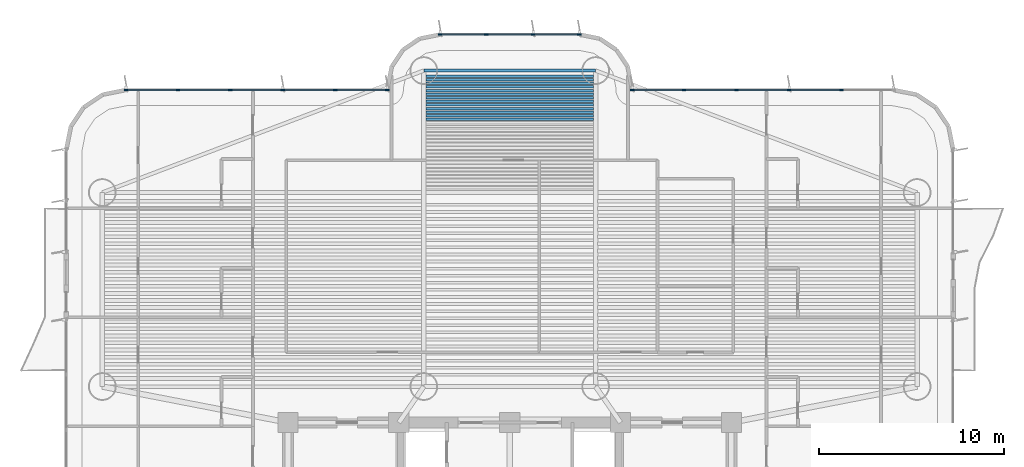
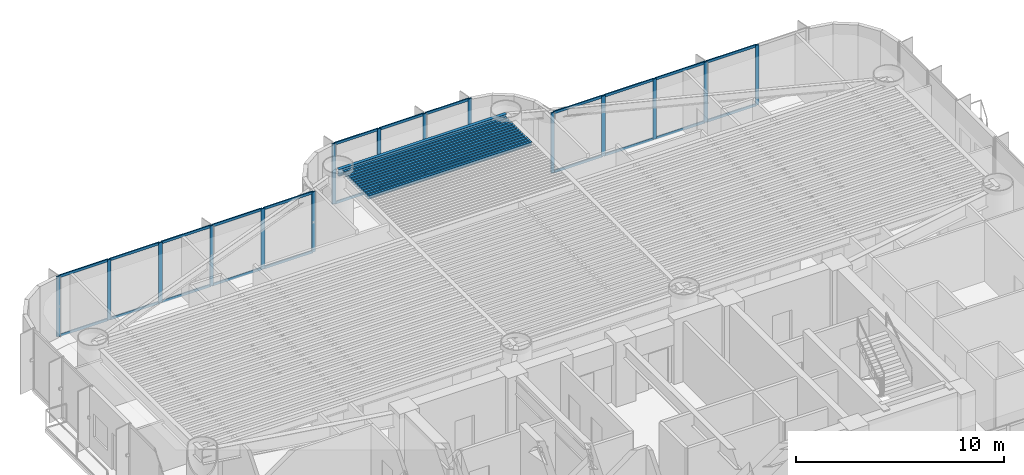
# One storey, part 7 of 18: 39 members, 14 beams, 3 elements without a shape of their own.
"""IFC4 building model written with IfcOpenShell, lengths in metres."""

from ifc_helpers import new_model, si_unit, direction, frame, origin, origin_2d, place, context, subcontext, project, spatial, rectangle, i_section, extrude, source, transform, mapped, material, layer, layer_set, material_profile, profile_set, type_object, element, aggregate, save


model = new_model("IFC4")

# Units and contexts
model_context = context("Model", 3, precision=1e-05, world=origin(), true_north=direction((0.0, 1.0)))
body_context = subcontext(model_context, "Body", "Model", "MODEL_VIEW")
ifc_project = project(units=[si_unit("LENGTHUNIT", "METRE"), si_unit("AREAUNIT", "SQUARE_METRE"), si_unit("VOLUMEUNIT", "CUBIC_METRE"), si_unit("PLANEANGLEUNIT", "RADIAN"), si_unit("MASSUNIT", "GRAM", prefix="KILO")], contexts=[model_context])

# Site, building, storey
site_placement = place(None, origin())
site = spatial("IfcSite", under=ifc_project, at=site_placement, CompositionType="ELEMENT")
building_placement = place(site_placement, origin())
building = spatial("IfcBuilding", under=site, at=building_placement, Name="Brelvock Crest Care Tower", CompositionType="ELEMENT")
storey_placement = place(building_placement, frame((0.0, 0.0, 38.340087890625)))
storey = spatial("IfcBuildingStorey", under=building, at=storey_placement, Name="L09", CompositionType="ELEMENT", Elevation=38.340087890625)

# Beams
ifc_material_1 = material(Name="Steel Grade 350", Category="steel")
ifc_material_profile_1 = material_profile(ifc_material_1, i_section(OverallWidth=0.177978515625, OverallDepth=0.406005859375, WebThickness=0.0078125, FlangeThickness=0.0126953125, FilletRadius=0.011474609375, at=origin_2d()), Name="410UB59.7")
ifc_profile_set_1 = profile_set([ifc_material_profile_1], Name="Steel Grade 350")
beam_type_1 = type_object("IfcBeamType", Name="BM-SP1", PredefinedType="SPANDREL", material=ifc_profile_set_1)
shared_shape_1 = source(origin(), body_context, "Body", "SweptSolid", [
    extrude(i_section(OverallWidth=0.177978515625, OverallDepth=0.406005859375, WebThickness=0.0078125, FlangeThickness=0.0126953125, FilletRadius=0.011474609375, at=origin_2d()), origin(), (0.0, 0.0, 1.0), 9.2998046875),
])
beam_placement = place(storey_placement, frame((31.35009765625, 37.050048828125, 3.326904296875), z_axis=(1.0, 0.0, 0.0), x_axis=(0.0, 1.0, 0.0)))
element("IfcBeam", 1, at=beam_placement, inside=storey, type_object=beam_type_1, Name="BM-TWR-L09-08", PredefinedType="SPANDREL", context=body_context, shape_type="MappedRepresentation", body=[
    mapped(shared_shape_1, transform((0.0, 0.0, 0.0), x_axis=(1.0, 0.0, 0.0), y_axis=(0.0, 1.0, 0.0), z_axis=(0.0, 0.0, 1.0), scale=1.0)),
])
ifc_material_profile_2 = material_profile(ifc_material_1, i_section(OverallWidth=0.134033203125, OverallDepth=0.20703125, WebThickness=0.00634765625, FlangeThickness=0.009521484375, FilletRadius=0.0087890625, at=origin_2d()), Name="200UB29.8")
ifc_profile_set_2 = profile_set([ifc_material_profile_2], Name="Steel Grade 350")
beam_type_2 = type_object("IfcBeamType", Name="BM-J4", PredefinedType="JOIST", material=ifc_profile_set_2)
shared_shape_2 = source(origin(), body_context, "Body", "SweptSolid", [
    extrude(i_section(OverallWidth=0.134033203125, OverallDepth=0.20703125, WebThickness=0.00634765625, FlangeThickness=0.009521484375, FilletRadius=0.0087890625, at=origin_2d()), origin(), (0.0, 0.0, 1.0), 9.06982421875),
])
for number, where, z_axis, x_axis, name in (
    (2, (31.465087890625, 34.413330078125, 3.426513671875), (1.0, 0.0, 0.0), (0.0, 1.0, 0.0), "BM-JN-L09-20"),
    (3, (31.465087890625, 34.60791015625, 3.426513671875), (1.0, 0.0, 0.0), (0.0, 1.0, 0.0), "BM-JN-L09-21"),
    (4, (31.465087890625, 34.802734375, 3.426513671875), (1.0, 0.0, 0.0), (0.0, 1.0, 0.0), "BM-JN-L09-22"),
    (5, (31.465087890625, 34.997314453125, 3.426513671875), (1.0, 0.0, 0.0), (0.0, 1.0, 0.0), "BM-JN-L09-23"),
    (6, (31.465087890625, 35.192138671875, 3.426513671875), (1.0, 0.0, 0.0), (0.0, 1.0, 0.0), "BM-JN-L09-24"),
    (7, (31.465087890625, 35.38671875, 3.426513671875), (1.0, 0.0, 0.0), (0.0, 1.0, 0.0), "BM-JN-L09-25"),
    (8, (31.465087890625, 35.58154296875, 3.426513671875), (1.0, 0.0, 0.0), (0.0, 1.0, 0.0), "BM-JN-L09-26"),
    (9, (31.465087890625, 35.776123046875, 3.426513671875), (1.0, 0.0, 0.0), (0.0, 1.0, 0.0), "BM-JN-L09-27"),
    (10, (31.465087890625, 35.970947265625, 3.426513671875), (1.0, 0.0, 0.0), (0.0, 1.0, 0.0), "BM-JN-L09-28"),
    (11, (31.465087890625, 36.16552734375, 3.426513671875), (1.0, 0.0, 0.0), (0.0, 1.0, 0.0), "BM-JN-L09-29"),
    (12, (31.465087890625, 36.3603515625, 3.426513671875), (1.0, 0.0, 0.0), (0.0, 1.0, 0.0), "BM-JN-L09-30"),
    (13, (31.465087890625, 36.554931640625, 3.426513671875), (1.0, 0.0, 0.0), (0.0, 1.0, 0.0), "BM-JN-L09-31"),
    (14, (31.465087890625, 36.749755859375, 3.426513671875), (1.0, 0.0, 0.0), (0.0, 1.0, 0.0), "BM-JN-L09-32"),
):
    element("IfcBeam", number, at=place(storey_placement, frame(where, z_axis=z_axis, x_axis=x_axis)), inside=storey, type_object=beam_type_2, Name=name, PredefinedType="JOIST", context=body_context, shape_type="MappedRepresentation", body=[
        mapped(shared_shape_2, transform((0.0, 0.0, 0.0), x_axis=(1.0, 0.0, 0.0), y_axis=(0.0, 1.0, 0.0), z_axis=(0.0, 0.0, 1.0), scale=1.0)),
    ])

# Curtain wall, members
ifc_material_2 = material(Name="Dark Glass Double Glazed Low-E", Category="glass")
ifc_layer = layer(ifc_material_2, 0.195068359375, Name="CWS-2")
ifc_layer_set = layer_set([ifc_layer], Name="Dark Glass Double Glazed Low-E")
curtain_wall_type = type_object("IfcCurtainWallType", Name="CWS-2", PredefinedType="NOTDEFINED", material=ifc_layer_set)
curtain_wall_1_placement = place(storey_placement, origin())
curtain_wall_1 = element("IfcCurtainWall", 15, at=curtain_wall_1_placement, inside=storey, type_object=curtain_wall_type, Name="L09 Curtain Wall E18", PredefinedType="NOTDEFINED")
ifc_material_3 = material(Name="Aluminium 6063-T6", Category="aluminium")
ifc_material_profile_3 = material_profile(ifc_material_3, rectangle(XDim=0.06494140625, YDim=0.199951171875, at=origin_2d()), Name="ALU65x200")
ifc_profile_set_3 = profile_set([ifc_material_profile_3], Name="Aluminium 6063-T6")
member_type_1 = type_object("IfcMemberType", Name="CWM-1", PredefinedType="MULLION", material=ifc_profile_set_3)
shared_shape_3 = source(origin(), body_context, "Body", "SweptSolid", [
    extrude(rectangle(XDim=0.06494140625, YDim=0.199951171875, at=origin_2d()), origin(), (0.0, 0.0, 1.0), 3.530029296875),
])
member_1_placement = place(storey_placement, frame((15.232421875, 36.0, 0.0), z_axis=(0.0, 0.0, 1.0), x_axis=(0.0, 1.0, 0.0)))
member_1 = element("IfcMember", 16, at=member_1_placement, type_object=member_type_1, Name="CW-2 mullion 1", PredefinedType="MULLION", context=body_context, shape_type="MappedRepresentation", body=[
    mapped(shared_shape_3, transform((0.0, 0.0, 0.0), x_axis=(1.0, 0.0, 0.0), y_axis=(0.0, 1.0, 0.0), z_axis=(0.0, 0.0, 1.0), scale=1.0)),
])
member_2_placement = place(storey_placement, frame((18.0400390625, 36.0, 0.0), z_axis=(0.0, 0.0, 1.0), x_axis=(0.0, 1.0, 0.0)))
member_2 = element("IfcMember", 17, at=member_2_placement, type_object=member_type_1, Name="CW-2 mullion 2", PredefinedType="MULLION", context=body_context, shape_type="MappedRepresentation", body=[
    mapped(shared_shape_3, transform((0.0, 0.0, 0.0), x_axis=(1.0, 0.0, 0.0), y_axis=(0.0, 1.0, 0.0), z_axis=(0.0, 0.0, 1.0), scale=1.0)),
])
member_3_placement = place(storey_placement, frame((20.8798828125, 36.0, 0.0), z_axis=(0.0, 0.0, 1.0), x_axis=(0.0, 1.0, 0.0)))
member_3 = element("IfcMember", 18, at=member_3_placement, type_object=member_type_1, Name="CW-2 mullion 3", PredefinedType="MULLION", context=body_context, shape_type="MappedRepresentation", body=[
    mapped(shared_shape_3, transform((0.0, 0.0, 0.0), x_axis=(1.0, 0.0, 0.0), y_axis=(0.0, 1.0, 0.0), z_axis=(0.0, 0.0, 1.0), scale=1.0)),
])
member_4_placement = place(storey_placement, frame((23.719970703125, 36.0, 0.0), z_axis=(0.0, 0.0, 1.0), x_axis=(0.0, 1.0, 0.0)))
member_4 = element("IfcMember", 19, at=member_4_placement, type_object=member_type_1, Name="CW-2 mullion 4", PredefinedType="MULLION", context=body_context, shape_type="MappedRepresentation", body=[
    mapped(shared_shape_3, transform((0.0, 0.0, 0.0), x_axis=(1.0, 0.0, 0.0), y_axis=(0.0, 1.0, 0.0), z_axis=(0.0, 0.0, 1.0), scale=1.0)),
])
member_5_placement = place(storey_placement, frame((26.56005859375, 36.0, 0.0), z_axis=(0.0, 0.0, 1.0), x_axis=(0.0, 1.0, 0.0)))
member_5 = element("IfcMember", 20, at=member_5_placement, type_object=member_type_1, Name="CW-2 mullion 5", PredefinedType="MULLION", context=body_context, shape_type="MappedRepresentation", body=[
    mapped(shared_shape_3, transform((0.0, 0.0, 0.0), x_axis=(1.0, 0.0, 0.0), y_axis=(0.0, 1.0, 0.0), z_axis=(0.0, 0.0, 1.0), scale=1.0)),
])
member_6_placement = place(storey_placement, frame((29.367431640625, 36.0, 0.0), z_axis=(0.0, 0.0, 1.0), x_axis=(0.0, 1.0, 0.0)))
member_6 = element("IfcMember", 21, at=member_6_placement, type_object=member_type_1, Name="CW-2 mullion 6", PredefinedType="MULLION", context=body_context, shape_type="MappedRepresentation", body=[
    mapped(shared_shape_3, transform((0.0, 0.0, 0.0), x_axis=(1.0, 0.0, 0.0), y_axis=(0.0, 1.0, 0.0), z_axis=(0.0, 0.0, 1.0), scale=1.0)),
])

curtain_wall_2_placement = place(storey_placement, origin())
curtain_wall_2 = element("IfcCurtainWall", 22, at=curtain_wall_2_placement, inside=storey, type_object=curtain_wall_type, Name="L09 Curtain Wall E24", PredefinedType="NOTDEFINED")
member_7_placement = place(storey_placement, frame((32.232421875, 39.0, 0.0), z_axis=(0.0, 0.0, 1.0), x_axis=(0.0, 1.0, 0.0)))
member_7 = element("IfcMember", 23, at=member_7_placement, type_object=member_type_1, Name="CW-2 mullion 1", PredefinedType="MULLION", context=body_context, shape_type="MappedRepresentation", body=[
    mapped(shared_shape_3, transform((0.0, 0.0, 0.0), x_axis=(1.0, 0.0, 0.0), y_axis=(0.0, 1.0, 0.0), z_axis=(0.0, 0.0, 1.0), scale=1.0)),
])
member_8_placement = place(storey_placement, frame((34.7333984375, 39.0, 0.0), z_axis=(0.0, 0.0, 1.0), x_axis=(0.0, 1.0, 0.0)))
member_8 = element("IfcMember", 24, at=member_8_placement, type_object=member_type_1, Name="CW-2 mullion 2", PredefinedType="MULLION", context=body_context, shape_type="MappedRepresentation", body=[
    mapped(shared_shape_3, transform((0.0, 0.0, 0.0), x_axis=(1.0, 0.0, 0.0), y_axis=(0.0, 1.0, 0.0), z_axis=(0.0, 0.0, 1.0), scale=1.0)),
])
member_9_placement = place(storey_placement, frame((37.2666015625, 39.0, 0.0), z_axis=(0.0, 0.0, 1.0), x_axis=(0.0, 1.0, 0.0)))
member_9 = element("IfcMember", 25, at=member_9_placement, type_object=member_type_1, Name="CW-2 mullion 3", PredefinedType="MULLION", context=body_context, shape_type="MappedRepresentation", body=[
    mapped(shared_shape_3, transform((0.0, 0.0, 0.0), x_axis=(1.0, 0.0, 0.0), y_axis=(0.0, 1.0, 0.0), z_axis=(0.0, 0.0, 1.0), scale=1.0)),
])
member_10_placement = place(storey_placement, frame((39.767578125, 39.0, 0.0), z_axis=(0.0, 0.0, 1.0), x_axis=(0.0, 1.0, 0.0)))
member_10 = element("IfcMember", 26, at=member_10_placement, type_object=member_type_1, Name="CW-2 mullion 4", PredefinedType="MULLION", context=body_context, shape_type="MappedRepresentation", body=[
    mapped(shared_shape_3, transform((0.0, 0.0, 0.0), x_axis=(1.0, 0.0, 0.0), y_axis=(0.0, 1.0, 0.0), z_axis=(0.0, 0.0, 1.0), scale=1.0)),
])

curtain_wall_3_placement = place(storey_placement, origin())
curtain_wall_3 = element("IfcCurtainWall", 27, at=curtain_wall_3_placement, inside=storey, type_object=curtain_wall_type, Name="L09 Curtain Wall E30", PredefinedType="NOTDEFINED")
member_11_placement = place(storey_placement, frame((42.632568359375, 36.0, 0.0), z_axis=(0.0, 0.0, 1.0), x_axis=(0.0, 1.0, 0.0)))
member_11 = element("IfcMember", 28, at=member_11_placement, type_object=member_type_1, Name="CW-2 mullion 1", PredefinedType="MULLION", context=body_context, shape_type="MappedRepresentation", body=[
    mapped(shared_shape_3, transform((0.0, 0.0, 0.0), x_axis=(1.0, 0.0, 0.0), y_axis=(0.0, 1.0, 0.0), z_axis=(0.0, 0.0, 1.0), scale=1.0)),
])
member_12_placement = place(storey_placement, frame((45.43994140625, 36.0, 0.0), z_axis=(0.0, 0.0, 1.0), x_axis=(0.0, 1.0, 0.0)))
member_12 = element("IfcMember", 29, at=member_12_placement, type_object=member_type_1, Name="CW-2 mullion 2", PredefinedType="MULLION", context=body_context, shape_type="MappedRepresentation", body=[
    mapped(shared_shape_3, transform((0.0, 0.0, 0.0), x_axis=(1.0, 0.0, 0.0), y_axis=(0.0, 1.0, 0.0), z_axis=(0.0, 0.0, 1.0), scale=1.0)),
])
member_13_placement = place(storey_placement, frame((48.280029296875, 36.0, 0.0), z_axis=(0.0, 0.0, 1.0), x_axis=(0.0, 1.0, 0.0)))
member_13 = element("IfcMember", 30, at=member_13_placement, type_object=member_type_1, Name="CW-2 mullion 3", PredefinedType="MULLION", context=body_context, shape_type="MappedRepresentation", body=[
    mapped(shared_shape_3, transform((0.0, 0.0, 0.0), x_axis=(1.0, 0.0, 0.0), y_axis=(0.0, 1.0, 0.0), z_axis=(0.0, 0.0, 1.0), scale=1.0)),
])
member_14_placement = place(storey_placement, frame((51.1201171875, 36.0, 0.0), z_axis=(0.0, 0.0, 1.0), x_axis=(0.0, 1.0, 0.0)))
member_14 = element("IfcMember", 31, at=member_14_placement, type_object=member_type_1, Name="CW-2 mullion 4", PredefinedType="MULLION", context=body_context, shape_type="MappedRepresentation", body=[
    mapped(shared_shape_3, transform((0.0, 0.0, 0.0), x_axis=(1.0, 0.0, 0.0), y_axis=(0.0, 1.0, 0.0), z_axis=(0.0, 0.0, 1.0), scale=1.0)),
])
member_15_placement = place(storey_placement, frame((53.9599609375, 36.0, 0.0), z_axis=(0.0, 0.0, 1.0), x_axis=(0.0, 1.0, 0.0)))
member_15 = element("IfcMember", 32, at=member_15_placement, type_object=member_type_1, Name="CW-2 mullion 5", PredefinedType="MULLION", context=body_context, shape_type="MappedRepresentation", body=[
    mapped(shared_shape_3, transform((0.0, 0.0, 0.0), x_axis=(1.0, 0.0, 0.0), y_axis=(0.0, 1.0, 0.0), z_axis=(0.0, 0.0, 1.0), scale=1.0)),
])

# Member
ifc_material_profile_4 = material_profile(ifc_material_3, rectangle(XDim=0.06494140625, YDim=0.14990234375, at=origin_2d()), Name="ALU65x150")
ifc_profile_set_4 = profile_set([ifc_material_profile_4], Name="Aluminium 6063-T6")
member_type_2 = type_object("IfcMemberType", Name="CWT-1", PredefinedType="USERDEFINED", material=ifc_profile_set_4)
shared_shape_4 = source(origin(), body_context, "Body", "SweptSolid", [
    extrude(rectangle(XDim=0.06494140625, YDim=0.14990234375, at=origin_2d()), origin(), (0.0, 0.0, 1.0), 2.74267578125),
])
member_16_placement = place(storey_placement, frame((15.264892578125, 36.0, 0.032470703125), z_axis=(1.0, 0.0, 0.0), x_axis=(0.0, 1.0, 0.0)))
member_16 = element("IfcMember", 33, at=member_16_placement, type_object=member_type_2, Name="CW-2 transom 1.1", ObjectType="TRANSOM", PredefinedType="USERDEFINED", context=body_context, shape_type="MappedRepresentation", body=[
    mapped(shared_shape_4, transform((0.0, 0.0, 0.0), x_axis=(1.0, 0.0, 0.0), y_axis=(0.0, 1.0, 0.0), z_axis=(0.0, 0.0, 1.0), scale=1.0)),
])

member_17_placement = place(storey_placement, frame((15.264892578125, 36.0, 3.497314453125), z_axis=(1.0, 0.0, 0.0), x_axis=(0.0, 1.0, 0.0)))
member_17 = element("IfcMember", 34, at=member_17_placement, type_object=member_type_2, Name="CW-2 transom 1.2", ObjectType="TRANSOM", PredefinedType="USERDEFINED", context=body_context, shape_type="MappedRepresentation", body=[
    mapped(shared_shape_4, transform((0.0, 0.0, 0.0), x_axis=(1.0, 0.0, 0.0), y_axis=(0.0, 1.0, 0.0), z_axis=(0.0, 0.0, 1.0), scale=1.0)),
])

shared_shape_5 = source(origin(), body_context, "Body", "SweptSolid", [
    extrude(rectangle(XDim=0.06494140625, YDim=0.14990234375, at=origin_2d()), origin(), (0.0, 0.0, 1.0), 2.77490234375),
])
member_18_placement = place(storey_placement, frame((18.072509765625, 36.0, 0.032470703125), z_axis=(1.0, 0.0, 0.0), x_axis=(0.0, 1.0, 0.0)))
member_18 = element("IfcMember", 35, at=member_18_placement, type_object=member_type_2, Name="CW-2 transom 2.1", ObjectType="TRANSOM", PredefinedType="USERDEFINED", context=body_context, shape_type="MappedRepresentation", body=[
    mapped(shared_shape_5, transform((0.0, 0.0, 0.0), x_axis=(1.0, 0.0, 0.0), y_axis=(0.0, 1.0, 0.0), z_axis=(0.0, 0.0, 1.0), scale=1.0)),
])

member_19_placement = place(storey_placement, frame((18.072509765625, 36.0, 3.497314453125), z_axis=(1.0, 0.0, 0.0), x_axis=(0.0, 1.0, 0.0)))
member_19 = element("IfcMember", 36, at=member_19_placement, type_object=member_type_2, Name="CW-2 transom 2.2", ObjectType="TRANSOM", PredefinedType="USERDEFINED", context=body_context, shape_type="MappedRepresentation", body=[
    mapped(shared_shape_5, transform((0.0, 0.0, 0.0), x_axis=(1.0, 0.0, 0.0), y_axis=(0.0, 1.0, 0.0), z_axis=(0.0, 0.0, 1.0), scale=1.0)),
])

member_20_placement = place(storey_placement, frame((20.91259765625, 36.0, 0.032470703125), z_axis=(1.0, 0.0, 0.0), x_axis=(0.0, 1.0, 0.0)))
member_20 = element("IfcMember", 37, at=member_20_placement, type_object=member_type_2, Name="CW-2 transom 3.1", ObjectType="TRANSOM", PredefinedType="USERDEFINED", context=body_context, shape_type="MappedRepresentation", body=[
    mapped(shared_shape_5, transform((0.0, 0.0, 0.0), x_axis=(1.0, 0.0, 0.0), y_axis=(0.0, 1.0, 0.0), z_axis=(0.0, 0.0, 1.0), scale=1.0)),
])

member_21_placement = place(storey_placement, frame((20.91259765625, 36.0, 3.497314453125), z_axis=(1.0, 0.0, 0.0), x_axis=(0.0, 1.0, 0.0)))
member_21 = element("IfcMember", 38, at=member_21_placement, type_object=member_type_2, Name="CW-2 transom 3.2", ObjectType="TRANSOM", PredefinedType="USERDEFINED", context=body_context, shape_type="MappedRepresentation", body=[
    mapped(shared_shape_5, transform((0.0, 0.0, 0.0), x_axis=(1.0, 0.0, 0.0), y_axis=(0.0, 1.0, 0.0), z_axis=(0.0, 0.0, 1.0), scale=1.0)),
])

member_22_placement = place(storey_placement, frame((48.3125, 36.0, 0.032470703125), z_axis=(1.0, 0.0, 0.0), x_axis=(0.0, 1.0, 0.0)))
member_22 = element("IfcMember", 39, at=member_22_placement, type_object=member_type_2, Name="CW-2 transom 3.1", ObjectType="TRANSOM", PredefinedType="USERDEFINED", context=body_context, shape_type="MappedRepresentation", body=[
    mapped(shared_shape_5, transform((0.0, 0.0, 0.0), x_axis=(1.0, 0.0, 0.0), y_axis=(0.0, 1.0, 0.0), z_axis=(0.0, 0.0, 1.0), scale=1.0)),
])

member_23_placement = place(storey_placement, frame((48.3125, 36.0, 3.497314453125), z_axis=(1.0, 0.0, 0.0), x_axis=(0.0, 1.0, 0.0)))
member_23 = element("IfcMember", 40, at=member_23_placement, type_object=member_type_2, Name="CW-2 transom 3.2", ObjectType="TRANSOM", PredefinedType="USERDEFINED", context=body_context, shape_type="MappedRepresentation", body=[
    mapped(shared_shape_5, transform((0.0, 0.0, 0.0), x_axis=(1.0, 0.0, 0.0), y_axis=(0.0, 1.0, 0.0), z_axis=(0.0, 0.0, 1.0), scale=1.0)),
])

member_24_placement = place(storey_placement, frame((51.152587890625, 36.0, 0.032470703125), z_axis=(1.0, 0.0, 0.0), x_axis=(0.0, 1.0, 0.0)))
member_24 = element("IfcMember", 41, at=member_24_placement, type_object=member_type_2, Name="CW-2 transom 4.1", ObjectType="TRANSOM", PredefinedType="USERDEFINED", context=body_context, shape_type="MappedRepresentation", body=[
    mapped(shared_shape_5, transform((0.0, 0.0, 0.0), x_axis=(1.0, 0.0, 0.0), y_axis=(0.0, 1.0, 0.0), z_axis=(0.0, 0.0, 1.0), scale=1.0)),
])

member_25_placement = place(storey_placement, frame((51.152587890625, 36.0, 3.497314453125), z_axis=(1.0, 0.0, 0.0), x_axis=(0.0, 1.0, 0.0)))
member_25 = element("IfcMember", 42, at=member_25_placement, type_object=member_type_2, Name="CW-2 transom 4.2", ObjectType="TRANSOM", PredefinedType="USERDEFINED", context=body_context, shape_type="MappedRepresentation", body=[
    mapped(shared_shape_5, transform((0.0, 0.0, 0.0), x_axis=(1.0, 0.0, 0.0), y_axis=(0.0, 1.0, 0.0), z_axis=(0.0, 0.0, 1.0), scale=1.0)),
])

shared_shape_6 = source(origin(), body_context, "Body", "SweptSolid", [
    extrude(rectangle(XDim=0.06494140625, YDim=0.14990234375, at=origin_2d()), origin(), (0.0, 0.0, 1.0), 2.775146484375),
])
member_26_placement = place(storey_placement, frame((23.75244140625, 36.0, 0.032470703125), z_axis=(1.0, 0.0, 0.0), x_axis=(0.0, 1.0, 0.0)))
member_26 = element("IfcMember", 43, at=member_26_placement, type_object=member_type_2, Name="CW-2 transom 4.1", ObjectType="TRANSOM", PredefinedType="USERDEFINED", context=body_context, shape_type="MappedRepresentation", body=[
    mapped(shared_shape_6, transform((0.0, 0.0, 0.0), x_axis=(1.0, 0.0, 0.0), y_axis=(0.0, 1.0, 0.0), z_axis=(0.0, 0.0, 1.0), scale=1.0)),
])

member_27_placement = place(storey_placement, frame((23.75244140625, 36.0, 3.497314453125), z_axis=(1.0, 0.0, 0.0), x_axis=(0.0, 1.0, 0.0)))
member_27 = element("IfcMember", 44, at=member_27_placement, type_object=member_type_2, Name="CW-2 transom 4.2", ObjectType="TRANSOM", PredefinedType="USERDEFINED", context=body_context, shape_type="MappedRepresentation", body=[
    mapped(shared_shape_6, transform((0.0, 0.0, 0.0), x_axis=(1.0, 0.0, 0.0), y_axis=(0.0, 1.0, 0.0), z_axis=(0.0, 0.0, 1.0), scale=1.0)),
])

member_28_placement = place(storey_placement, frame((45.472412109375, 36.0, 0.032470703125), z_axis=(1.0, 0.0, 0.0), x_axis=(0.0, 1.0, 0.0)))
member_28 = element("IfcMember", 45, at=member_28_placement, type_object=member_type_2, Name="CW-2 transom 2.1", ObjectType="TRANSOM", PredefinedType="USERDEFINED", context=body_context, shape_type="MappedRepresentation", body=[
    mapped(shared_shape_6, transform((0.0, 0.0, 0.0), x_axis=(1.0, 0.0, 0.0), y_axis=(0.0, 1.0, 0.0), z_axis=(0.0, 0.0, 1.0), scale=1.0)),
])

member_29_placement = place(storey_placement, frame((45.472412109375, 36.0, 3.497314453125), z_axis=(1.0, 0.0, 0.0), x_axis=(0.0, 1.0, 0.0)))
member_29 = element("IfcMember", 46, at=member_29_placement, type_object=member_type_2, Name="CW-2 transom 2.2", ObjectType="TRANSOM", PredefinedType="USERDEFINED", context=body_context, shape_type="MappedRepresentation", body=[
    mapped(shared_shape_6, transform((0.0, 0.0, 0.0), x_axis=(1.0, 0.0, 0.0), y_axis=(0.0, 1.0, 0.0), z_axis=(0.0, 0.0, 1.0), scale=1.0)),
])

shared_shape_7 = source(origin(), body_context, "Body", "SweptSolid", [
    extrude(rectangle(XDim=0.06494140625, YDim=0.14990234375, at=origin_2d()), origin(), (0.0, 0.0, 1.0), 2.742431640625),
])
member_30_placement = place(storey_placement, frame((26.592529296875, 36.0, 0.032470703125), z_axis=(1.0, 0.0, 0.0), x_axis=(0.0, 1.0, 0.0)))
member_30 = element("IfcMember", 47, at=member_30_placement, type_object=member_type_2, Name="CW-2 transom 5.1", ObjectType="TRANSOM", PredefinedType="USERDEFINED", context=body_context, shape_type="MappedRepresentation", body=[
    mapped(shared_shape_7, transform((0.0, 0.0, 0.0), x_axis=(1.0, 0.0, 0.0), y_axis=(0.0, 1.0, 0.0), z_axis=(0.0, 0.0, 1.0), scale=1.0)),
])

member_31_placement = place(storey_placement, frame((26.592529296875, 36.0, 3.497314453125), z_axis=(1.0, 0.0, 0.0), x_axis=(0.0, 1.0, 0.0)))
member_31 = element("IfcMember", 48, at=member_31_placement, type_object=member_type_2, Name="CW-2 transom 5.2", ObjectType="TRANSOM", PredefinedType="USERDEFINED", context=body_context, shape_type="MappedRepresentation", body=[
    mapped(shared_shape_7, transform((0.0, 0.0, 0.0), x_axis=(1.0, 0.0, 0.0), y_axis=(0.0, 1.0, 0.0), z_axis=(0.0, 0.0, 1.0), scale=1.0)),
])

aggregate(curtain_wall_1, [member_1, member_2, member_3, member_4, member_5, member_6, member_16, member_17, member_18, member_19, member_20, member_21, member_26, member_27, member_30, member_31])

member_32_placement = place(storey_placement, frame((42.6650390625, 36.0, 0.032470703125), z_axis=(1.0, 0.0, 0.0), x_axis=(0.0, 1.0, 0.0)))
member_32 = element("IfcMember", 49, at=member_32_placement, type_object=member_type_2, Name="CW-2 transom 1.1", ObjectType="TRANSOM", PredefinedType="USERDEFINED", context=body_context, shape_type="MappedRepresentation", body=[
    mapped(shared_shape_7, transform((0.0, 0.0, 0.0), x_axis=(1.0, 0.0, 0.0), y_axis=(0.0, 1.0, 0.0), z_axis=(0.0, 0.0, 1.0), scale=1.0)),
])

member_33_placement = place(storey_placement, frame((42.6650390625, 36.0, 3.497314453125), z_axis=(1.0, 0.0, 0.0), x_axis=(0.0, 1.0, 0.0)))
member_33 = element("IfcMember", 50, at=member_33_placement, type_object=member_type_2, Name="CW-2 transom 1.2", ObjectType="TRANSOM", PredefinedType="USERDEFINED", context=body_context, shape_type="MappedRepresentation", body=[
    mapped(shared_shape_7, transform((0.0, 0.0, 0.0), x_axis=(1.0, 0.0, 0.0), y_axis=(0.0, 1.0, 0.0), z_axis=(0.0, 0.0, 1.0), scale=1.0)),
])

aggregate(curtain_wall_3, [member_11, member_12, member_13, member_14, member_15, member_32, member_33, member_28, member_29, member_22, member_23, member_24, member_25])

shared_shape_8 = source(origin(), body_context, "Body", "SweptSolid", [
    extrude(rectangle(XDim=0.06494140625, YDim=0.14990234375, at=origin_2d()), origin(), (0.0, 0.0, 1.0), 2.43603515625),
])
member_34_placement = place(storey_placement, frame((32.264892578125, 39.0, 0.032470703125), z_axis=(1.0, 0.0, 0.0), x_axis=(0.0, 1.0, 0.0)))
member_34 = element("IfcMember", 51, at=member_34_placement, type_object=member_type_2, Name="CW-2 transom 1.1", ObjectType="TRANSOM", PredefinedType="USERDEFINED", context=body_context, shape_type="MappedRepresentation", body=[
    mapped(shared_shape_8, transform((0.0, 0.0, 0.0), x_axis=(1.0, 0.0, 0.0), y_axis=(0.0, 1.0, 0.0), z_axis=(0.0, 0.0, 1.0), scale=1.0)),
])

member_35_placement = place(storey_placement, frame((32.264892578125, 39.0, 3.497314453125), z_axis=(1.0, 0.0, 0.0), x_axis=(0.0, 1.0, 0.0)))
member_35 = element("IfcMember", 52, at=member_35_placement, type_object=member_type_2, Name="CW-2 transom 1.2", ObjectType="TRANSOM", PredefinedType="USERDEFINED", context=body_context, shape_type="MappedRepresentation", body=[
    mapped(shared_shape_8, transform((0.0, 0.0, 0.0), x_axis=(1.0, 0.0, 0.0), y_axis=(0.0, 1.0, 0.0), z_axis=(0.0, 0.0, 1.0), scale=1.0)),
])

member_36_placement = place(storey_placement, frame((37.299072265625, 39.0, 0.032470703125), z_axis=(1.0, 0.0, 0.0), x_axis=(0.0, 1.0, 0.0)))
member_36 = element("IfcMember", 53, at=member_36_placement, type_object=member_type_2, Name="CW-2 transom 3.1", ObjectType="TRANSOM", PredefinedType="USERDEFINED", context=body_context, shape_type="MappedRepresentation", body=[
    mapped(shared_shape_8, transform((0.0, 0.0, 0.0), x_axis=(1.0, 0.0, 0.0), y_axis=(0.0, 1.0, 0.0), z_axis=(0.0, 0.0, 1.0), scale=1.0)),
])

member_37_placement = place(storey_placement, frame((37.299072265625, 39.0, 3.497314453125), z_axis=(1.0, 0.0, 0.0), x_axis=(0.0, 1.0, 0.0)))
member_37 = element("IfcMember", 54, at=member_37_placement, type_object=member_type_2, Name="CW-2 transom 3.2", ObjectType="TRANSOM", PredefinedType="USERDEFINED", context=body_context, shape_type="MappedRepresentation", body=[
    mapped(shared_shape_8, transform((0.0, 0.0, 0.0), x_axis=(1.0, 0.0, 0.0), y_axis=(0.0, 1.0, 0.0), z_axis=(0.0, 0.0, 1.0), scale=1.0)),
])

shared_shape_9 = source(origin(), body_context, "Body", "SweptSolid", [
    extrude(rectangle(XDim=0.06494140625, YDim=0.14990234375, at=origin_2d()), origin(), (0.0, 0.0, 1.0), 2.46826171875),
])
member_38_placement = place(storey_placement, frame((34.765869140625, 39.0, 0.032470703125), z_axis=(1.0, 0.0, 0.0), x_axis=(0.0, 1.0, 0.0)))
member_38 = element("IfcMember", 55, at=member_38_placement, type_object=member_type_2, Name="CW-2 transom 2.1", ObjectType="TRANSOM", PredefinedType="USERDEFINED", context=body_context, shape_type="MappedRepresentation", body=[
    mapped(shared_shape_9, transform((0.0, 0.0, 0.0), x_axis=(1.0, 0.0, 0.0), y_axis=(0.0, 1.0, 0.0), z_axis=(0.0, 0.0, 1.0), scale=1.0)),
])

member_39_placement = place(storey_placement, frame((34.765869140625, 39.0, 3.497314453125), z_axis=(1.0, 0.0, 0.0), x_axis=(0.0, 1.0, 0.0)))
member_39 = element("IfcMember", 56, at=member_39_placement, type_object=member_type_2, Name="CW-2 transom 2.2", ObjectType="TRANSOM", PredefinedType="USERDEFINED", context=body_context, shape_type="MappedRepresentation", body=[
    mapped(shared_shape_9, transform((0.0, 0.0, 0.0), x_axis=(1.0, 0.0, 0.0), y_axis=(0.0, 1.0, 0.0), z_axis=(0.0, 0.0, 1.0), scale=1.0)),
])

aggregate(curtain_wall_2, [member_7, member_8, member_9, member_10, member_34, member_35, member_38, member_39, member_36, member_37])

save(model, "model.ifc")
